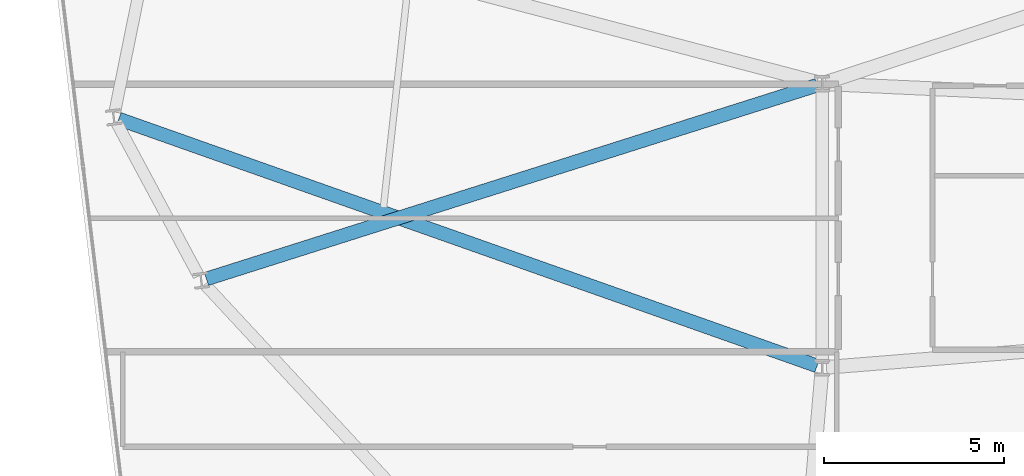
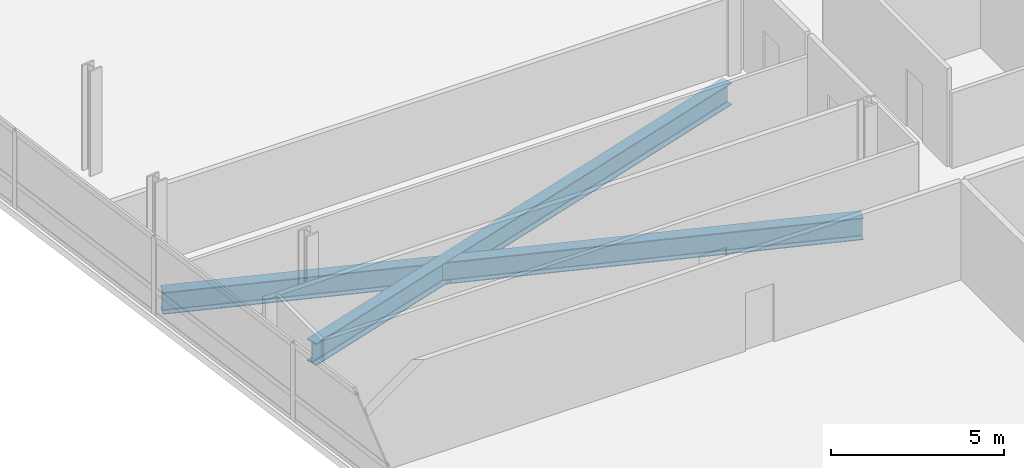
# One storey, part 5 of 22: 2 beams.
"""IFC4 building model written with IfcOpenShell, lengths in metres."""

import ifcopenshell
import ifcopenshell.guid

model = None  # the IFC model being written
_history = None  # IfcOwnerHistory: only IFC2X3 demands one
_inside = {}  # id of a spatial element -> (the spatial element, [elements in it])
_under = {}  # id of a project, library or spatial element -> (it, [spatial elements below it])
_declared = {}  # id of a project -> (the project, [libraries it declares])
_typed = {}  # id of a type object -> (the type object, [elements of that type])
_made_of = {}  # id of a material, layer set ... -> (it, [elements and type objects made of it])


def new_model(schema):
    """Start an empty IFC model of exactly this schema.

    Asked for "IFC4X3", IfcOpenShell would pick the latest addendum, in which some entities
    have other attributes; the version numbers below select the first issue.
    IFC2X3 requires an IfcOwnerHistory on every rooted entity: one is made here for all.
    """
    global model, _history
    if schema == "IFC4X3":
        model = ifcopenshell.file(schema_version=(4, 3, 0, 0))
    else:
        model = ifcopenshell.file(schema=schema)
    _inside.clear()
    _under.clear()
    _declared.clear()
    _typed.clear()
    _made_of.clear()
    _history = None
    if model.schema == "IFC2X3":
        org = make("IfcOrganization", Name="unknown")
        user = make(
            "IfcPersonAndOrganization",
            ThePerson=make("IfcPerson", FamilyName="unknown"),
            TheOrganization=org,
        )
        app = make(
            "IfcApplication",
            ApplicationDeveloper=org,
            Version="unknown",
            ApplicationFullName="unknown",
            ApplicationIdentifier="unknown",
        )
        _history = make(
            "IfcOwnerHistory",
            OwningUser=user,
            OwningApplication=app,
            ChangeAction="ADDED",
            CreationDate=0,
        )
    return model


def make(cls, **values):
    """One entity of the class cls with the attributes given. An attribute that is None is left unset."""
    return model.create_entity(
        cls, **{name: value for name, value in values.items() if value is not None}
    )


def rooted(cls, **values):
    """An entity with a GlobalId (a new one), such as an element, a storey or a relation."""
    return make(cls, GlobalId=ifcopenshell.guid.new(), OwnerHistory=_history, **values)


def si_unit(unit_type, name, prefix=None):
    """IfcSIUnit, for example si_unit("LENGTHUNIT", "METRE", prefix="MILLI")."""
    return make("IfcSIUnit", UnitType=unit_type, Prefix=prefix, Name=name)


def assignment(units):
    """IfcUnitAssignment: the units of a project."""
    return None if units is None else make("IfcUnitAssignment", Units=units)


def point(xyz):
    """IfcCartesianPoint."""
    return None if xyz is None else make("IfcCartesianPoint", Coordinates=xyz)


def direction(xyz):
    """IfcDirection."""
    return None if xyz is None else make("IfcDirection", DirectionRatios=xyz)


def frame(location, z_axis=None, x_axis=None):
    """IfcAxis2Placement3D, a coordinate frame: its origin and axes. An axis left out is left unset."""
    return make(
        "IfcAxis2Placement3D",
        Location=point(location),
        Axis=direction(z_axis),
        RefDirection=direction(x_axis),
    )


def frame_2d(location, x_axis=None):
    """IfcAxis2Placement2D, a coordinate frame in the plane: its origin and x axis."""
    return make(
        "IfcAxis2Placement2D", Location=point(location), RefDirection=direction(x_axis)
    )


def origin():
    """The frame at (0, 0, 0) with its axes left unset."""
    return frame((0.0, 0.0, 0.0))


def origin_2d():
    """The frame at (0, 0) in the plane with its x axis left unset."""
    return frame_2d((0.0, 0.0))


def place(relative_to, where):
    """IfcLocalPlacement: puts the frame where relative to a parent placement (None: the world)."""
    return make(
        "IfcLocalPlacement", PlacementRelTo=relative_to, RelativePlacement=where
    )


def context(
    kind, dimensions, precision=None, world=None, true_north=None, identifier=None
):
    """IfcGeometricRepresentationContext, for example the 3D "Model" context."""
    return make(
        "IfcGeometricRepresentationContext",
        ContextIdentifier=identifier,
        ContextType=kind,
        CoordinateSpaceDimension=dimensions,
        Precision=precision,
        WorldCoordinateSystem=world,
        TrueNorth=true_north,
    )


def subcontext(parent, identifier, kind, view, scale=None):
    """IfcGeometricRepresentationSubContext, for example "Body" below "Model"."""
    return make(
        "IfcGeometricRepresentationSubContext",
        ContextIdentifier=identifier,
        ContextType=kind,
        ParentContext=parent,
        TargetScale=scale,
        TargetView=view,
    )


def project(units=None, contexts=None):
    """IfcProject with its units and contexts."""
    return rooted(
        "IfcProject",
        Name="project",
        RepresentationContexts=contexts,
        UnitsInContext=assignment(units),
    )


def spatial(cls, under=None, at=None, **own):
    """A site, building, storey or space (cls), placed at a placement, below another one or the project."""
    s = rooted(cls, ObjectPlacement=at, **own)
    if under is not None:
        _under.setdefault(under.id(), (under, []))[1].append(s)
    return s


def profile(cls, at=None, kind="AREA", **sizes):
    """A parametric profile (cls). Its sizes go by their IFC names, for example OverallWidth=200.0."""
    return make(cls, ProfileType=kind, Position=at, **sizes)


def i_section(**sizes):
    """IfcIShapeProfileDef."""
    return profile("IfcIShapeProfileDef", **sizes)


def extrude(swept, where, along, depth):
    """IfcExtrudedAreaSolid: the profile swept, set in the frame where, extruded along a direction by depth."""
    return make(
        "IfcExtrudedAreaSolid",
        SweptArea=swept,
        Position=where,
        ExtrudedDirection=direction(along),
        Depth=depth,
    )


def shape(context_of_items, identifier, shape_type, items):
    """IfcShapeRepresentation: the items that make up one representation, for example the "Body"."""
    return make(
        "IfcShapeRepresentation",
        ContextOfItems=context_of_items,
        RepresentationIdentifier=identifier,
        RepresentationType=shape_type,
        Items=items,
    )


def material(Name=None, Category=None):
    """IfcMaterial."""
    return make("IfcMaterial", Name=Name, Category=Category)


def material_profile(
    of_material, cross_section, Name=None, Category=None, Priority=None
):
    """IfcMaterialProfile: a cross section and its material."""
    return make(
        "IfcMaterialProfile",
        Name=Name,
        Material=of_material,
        Profile=cross_section,
        Priority=Priority,
        Category=Category,
    )


def profile_set(profiles, Name=None, composite=None):
    """IfcMaterialProfileSet."""
    return make(
        "IfcMaterialProfileSet",
        Name=Name,
        MaterialProfiles=profiles,
        CompositeProfile=composite,
    )


def made_of(thing, what):
    """Note that an element or type object is made of a material, layer set ...; save() writes the relation."""
    if what is not None:
        _made_of.setdefault(what.id(), (what, []))[1].append(thing)
    return thing


def type_object(cls, material=None, **own):
    """A type object (cls), such as IfcWallType, which elements share."""
    return made_of(rooted(cls, **own), material)


def element(
    cls,
    number,
    at=None,
    inside=None,
    cuts=None,
    type_object=None,
    material=None,
    context=None,
    identifier="Body",
    shape_type=None,
    held_by="IfcProductDefinitionShape",
    body=None,
    shapes=None,
    **own,
):
    """One element of the class cls, such as IfcWall. Its Tag is "e" and its number.

    at: its placement. inside: the storey or other place that contains it. cuts: it is an
    opening in that element (IfcRelVoidsElement). A single representation is given by context,
    identifier, shape_type and body (its items); several are given by shapes. held_by: the class
    of the entity that holds the representations. save() writes the other relations.
    """
    e = rooted(cls, Tag="e%d" % number, ObjectPlacement=at, **own)
    if body is not None:
        shapes = [shape(context, identifier, shape_type, body)]
    if shapes is not None:
        e.Representation = make(held_by, Representations=shapes)
    if inside is not None:
        _inside.setdefault(inside.id(), (inside, []))[1].append(e)
    if cuts is not None:
        rooted(
            "IfcRelVoidsElement", RelatingBuildingElement=cuts, RelatedOpeningElement=e
        )
    if type_object is not None:
        _typed.setdefault(type_object.id(), (type_object, []))[1].append(e)
    return made_of(e, material)


def aggregate(whole, parts):
    """IfcRelAggregates: a whole, such as a stair, and the parts it consists of."""
    return rooted("IfcRelAggregates", RelatingObject=whole, RelatedObjects=parts)


def save(model, path):
    """Write the relations noted so far, then the file.

    IfcRelAggregates (storeys below a building ...), IfcRelContainedInSpatialStructure (elements
    in a storey), IfcRelDefinesByType, IfcRelAssociatesMaterial and IfcRelDeclares: one each for
    every whole, place, type object, material and project.
    """
    for whole, parts in _under.values():
        aggregate(whole, parts)
    for where, things in _inside.values():
        rooted(
            "IfcRelContainedInSpatialStructure",
            RelatedElements=things,
            RelatingStructure=where,
        )
    for kind, things in _typed.values():
        rooted("IfcRelDefinesByType", RelatedObjects=things, RelatingType=kind)
    for what, things in _made_of.values():
        rooted("IfcRelAssociatesMaterial", RelatedObjects=things, RelatingMaterial=what)
    for by, libraries in _declared.values():
        rooted("IfcRelDeclares", RelatingContext=by, RelatedDefinitions=libraries)
    model.write(path)


model = new_model("IFC4")

# Units and contexts
model_context = context("Model", 3, precision=1e-05, world=origin(), true_north=direction((0.0, 1.0)))
body_context = subcontext(model_context, "Body", "Model", "MODEL_VIEW")
ifc_project = project(units=[si_unit("LENGTHUNIT", "METRE"), si_unit("AREAUNIT", "SQUARE_METRE"), si_unit("VOLUMEUNIT", "CUBIC_METRE"), si_unit("PLANEANGLEUNIT", "RADIAN"), si_unit("MASSUNIT", "GRAM", prefix="KILO")], contexts=[model_context])

# Site, building, storey
site_placement = place(None, origin())
site = spatial("IfcSite", under=ifc_project, at=site_placement, CompositionType="ELEMENT")
building_placement = place(site_placement, origin())
building = spatial("IfcBuilding", under=site, at=building_placement, Name="Varnelok Gate Tower", CompositionType="ELEMENT")
storey_placement = place(building_placement, frame((0.0, 0.0, 185.699951171875)))
storey = spatial("IfcBuildingStorey", under=building, at=storey_placement, Name="L47", CompositionType="ELEMENT", Elevation=185.699951171875)

# Beams
ifc_material = material(Name="Structural Steel ASTM A992 Grade 50", Category="steel")
ifc_material_profile = material_profile(ifc_material, i_section(OverallWidth=0.381103515625, OverallDepth=0.77294921875, WebThickness=0.0166015625, FlangeThickness=0.027099609375, FilletRadius=0.02197265625, at=origin_2d()), Name="W30X173")
ifc_profile_set = profile_set([ifc_material_profile], Name="Structural Steel ASTM A992 Grade 50")
beam_type = type_object("IfcBeamType", Name="BM-PRI-W30X173", PredefinedType="BEAM", material=ifc_profile_set)
beam_1_placement = place(storey_placement, frame((24.258544921875, 18.85009765625, -0.636474609375), z_axis=(-0.942837769657, 0.333252066923, 0.0), x_axis=(-0.333252066923, -0.942837769657, 0.0)))
element("IfcBeam", 1, at=beam_1_placement, inside=storey, type_object=beam_type, Name="L47 Radial Floor Girder 15", PredefinedType="BEAM", context=body_context, shape_type="SweptSolid", body=[
    extrude(i_section(OverallWidth=0.381103515625, OverallDepth=0.77294921875, WebThickness=0.0166015625, FlangeThickness=0.027099609375, FilletRadius=0.02197265625, at=origin_2d()), origin(), (0.0, 0.0, 1.0), 20.5458984375),
])
beam_2_placement = place(storey_placement, frame((24.257080078125, 26.634521484375, -0.636474609375), z_axis=(-0.953202154823, -0.302333676657, 0.0), x_axis=(0.302333676657, -0.953202154823, 0.0)))
element("IfcBeam", 2, at=beam_2_placement, inside=storey, type_object=beam_type, Name="L47 Radial Floor Girder 16", PredefinedType="BEAM", context=body_context, shape_type="SweptSolid", body=[
    extrude(i_section(OverallWidth=0.381103515625, OverallDepth=0.77294921875, WebThickness=0.0166015625, FlangeThickness=0.027099609375, FilletRadius=0.02197265625, at=origin_2d()), origin(), (0.0, 0.0, 1.0), 17.77099609375),
])

save(model, "model.ifc")
